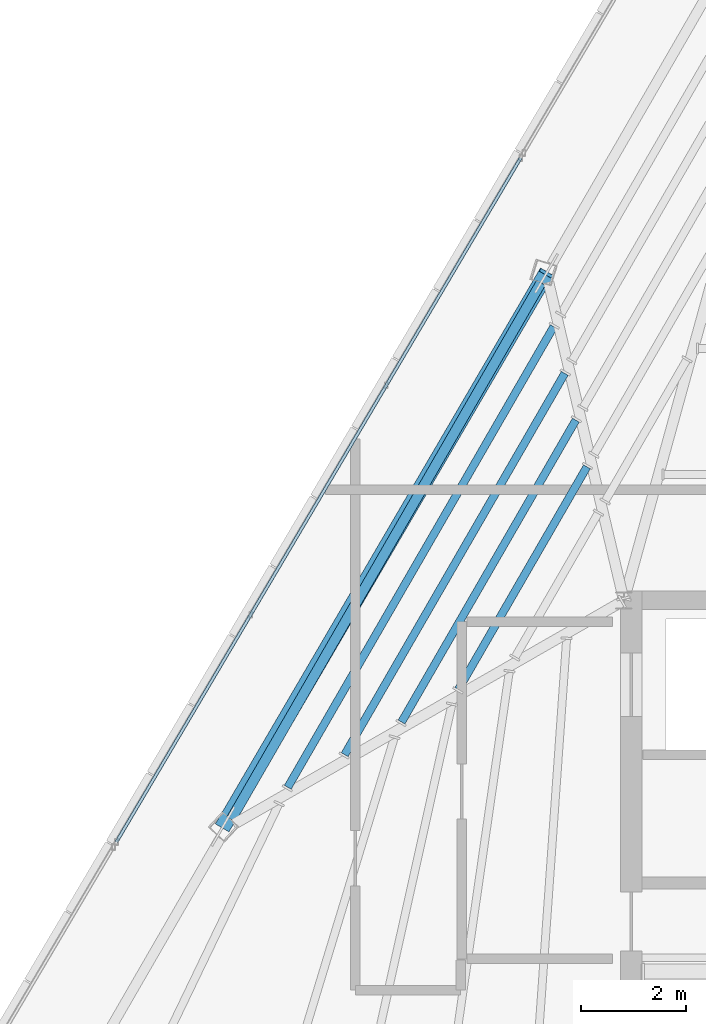
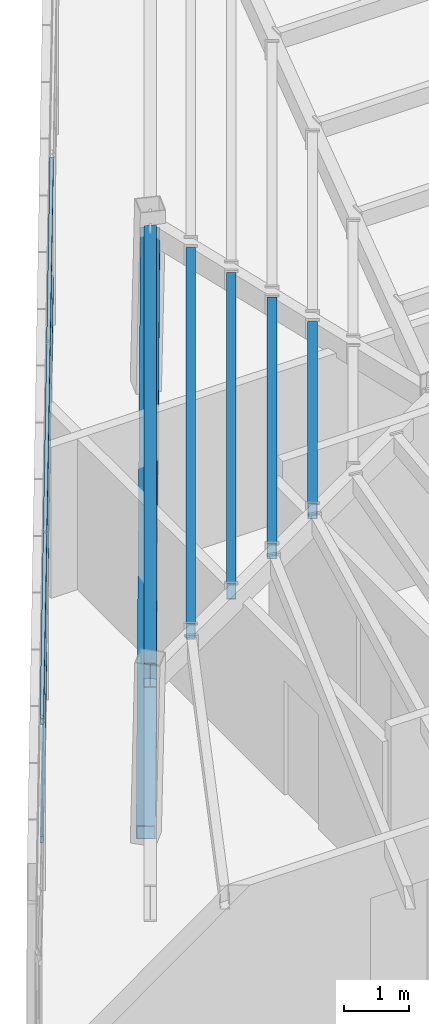
# One storey, part 18 of 47: 5 beams, 3 members, 1 element without a shape of its own.
"""IFC4 building model written with IfcOpenShell, lengths in metres."""

from ifc_helpers import new_model, si_unit, direction, frame, origin, origin_2d, place, context, subcontext, project, spatial, hollow_rectangle, i_section, extrude, source, transform, mapped, material, material_profile, profile_set, type_object, type_shapes, element, aggregate, save


model = new_model("IFC4")

# Units and contexts
model_context = context("Model", 3, precision=1e-05, world=origin(), true_north=direction((0.0, 1.0)))
body_context = subcontext(model_context, "Body", "Model", "MODEL_VIEW")
ifc_project = project(units=[si_unit("LENGTHUNIT", "METRE"), si_unit("AREAUNIT", "SQUARE_METRE"), si_unit("VOLUMEUNIT", "CUBIC_METRE"), si_unit("PLANEANGLEUNIT", "RADIAN"), si_unit("MASSUNIT", "GRAM", prefix="KILO")], contexts=[model_context])

# Site, building, storey
site_placement = place(None, origin())
site = spatial("IfcSite", under=ifc_project, at=site_placement, CompositionType="ELEMENT")
building_placement = place(site_placement, origin())
building = spatial("IfcBuilding", under=site, at=building_placement, Name="Caelisora Broadcast Tower", CompositionType="ELEMENT")
storey_placement = place(building_placement, frame((0.0, 0.0, 293.199951171875)))
storey = spatial("IfcBuildingStorey", under=building, at=storey_placement, Name="L77", CompositionType="ELEMENT", Elevation=293.199951171875)

# Beams
ifc_material_1 = material(Name="Steel Grade 350 (AS/NZS 3679.1)", Category="steel")
ifc_material_profile_1 = material_profile(ifc_material_1, i_section(OverallWidth=0.19091796875, OverallDepth=0.46044921875, WebThickness=0.010009765625, FlangeThickness=0.01611328125, at=origin_2d()), Name="Steel Grade 350 (AS/NZS 3679.1)")
ifc_profile_set_1 = profile_set([ifc_material_profile_1], Name="Steel Grade 350 (AS/NZS 3679.1)")
beam_type_1 = type_object("IfcBeamType", Name="PG06", PredefinedType="BEAM", material=ifc_profile_set_1)
shared_shape_1 = source(origin(), body_context, "Body", "SweptSolid", [
    extrude(i_section(OverallWidth=0.19091796875, OverallDepth=0.46044921875, WebThickness=0.010009765625, FlangeThickness=0.01611328125, at=origin_2d()), origin(), (0.0, 0.0, 1.0), 11.754150390625),
])
type_shapes(beam_type_1, [shared_shape_1])
beam_1_placement = place(storey_placement, frame((28.92529296875, 36.025634765625, 2.919921875), z_axis=(-0.500005927749, -0.86602198137, 0.0), x_axis=(0.86602198137, -0.500005927749, 0.0)))
element("IfcBeam", 1, at=beam_1_placement, inside=storey, type_object=beam_type_1, Name="L77 beam PG06", PredefinedType="BEAM", context=body_context, shape_type="MappedRepresentation", body=[
    mapped(shared_shape_1, transform((0.0, 0.0, 0.0), scale=1.0)),
])
ifc_material_2 = material(Name="Steel Grade 350 (AS/NZS 1163 C350L0)", Category="steel")
ifc_material_profile_2 = material_profile(ifc_material_2, hollow_rectangle(XDim=0.14990234375, YDim=0.300048828125, WallThickness=0.010009765625, at=origin_2d()), Name="Steel Grade 350 (AS/NZS 1163 C350L0)")
ifc_profile_set_2 = profile_set([ifc_material_profile_2], Name="Steel Grade 350 (AS/NZS 1163 C350L0)")
beam_type_2 = type_object("IfcBeamType", Name="SB05", PredefinedType="JOIST", material=ifc_profile_set_2)
shared_shape_2 = source(origin(), body_context, "Body", "SweptSolid", [
    extrude(hollow_rectangle(XDim=0.14990234375, YDim=0.300048828125, WallThickness=0.010009765625, at=origin_2d()), origin(), (0.0, 0.0, 1.0), 4.876708984375),
])
beam_2_placement = place(storey_placement, frame((29.79833984375, 32.535888671875, 3.0), z_axis=(-0.500015682727, -0.866016349168, 0.0), x_axis=(0.866016349168, -0.500015682727, 0.0)))
element("IfcBeam", 2, at=beam_2_placement, inside=storey, type_object=beam_type_2, Name="L77 beam SB05", PredefinedType="JOIST", context=body_context, shape_type="MappedRepresentation", body=[
    mapped(shared_shape_2, transform((0.0, 0.0, 0.0), scale=1.0)),
])
shared_shape_3 = source(origin(), body_context, "Body", "SweptSolid", [
    extrude(hollow_rectangle(XDim=0.14990234375, YDim=0.300048828125, WallThickness=0.010009765625, at=origin_2d()), origin(), (0.0, 0.0, 1.0), 6.61572265625),
])
beam_3_placement = place(storey_placement, frame((29.588134765625, 33.422607421875, 3.0), z_axis=(-0.499992911442, -0.866029496326, 0.0), x_axis=(0.866029496326, -0.499992911442, 0.0)))
element("IfcBeam", 3, at=beam_3_placement, inside=storey, type_object=beam_type_2, Name="L77 beam SB05", PredefinedType="JOIST", context=body_context, shape_type="MappedRepresentation", body=[
    mapped(shared_shape_3, transform((0.0, 0.0, 0.0), scale=1.0)),
])
shared_shape_4 = source(origin(), body_context, "Body", "SweptSolid", [
    extrude(hollow_rectangle(XDim=0.14990234375, YDim=0.300048828125, WallThickness=0.010009765625, at=origin_2d()), origin(), (0.0, 0.0, 1.0), 8.354248046875),
])
beam_4_placement = place(storey_placement, frame((29.378173828125, 34.30908203125, 3.0), z_axis=(-0.500017580647, -0.866015253355, 0.0), x_axis=(0.866015253355, -0.500017580647, 0.0)))
element("IfcBeam", 4, at=beam_4_placement, inside=storey, type_object=beam_type_2, Name="L77 beam SB05", PredefinedType="JOIST", context=body_context, shape_type="MappedRepresentation", body=[
    mapped(shared_shape_4, transform((0.0, 0.0, 0.0), scale=1.0)),
])
shared_shape_5 = source(origin(), body_context, "Body", "SweptSolid", [
    extrude(hollow_rectangle(XDim=0.14990234375, YDim=0.300048828125, WallThickness=0.010009765625, at=origin_2d()), origin(), (0.0, 0.0, 1.0), 10.0927734375),
])
type_shapes(beam_type_2, [shared_shape_2, shared_shape_3, shared_shape_4, shared_shape_5])
beam_5_placement = place(storey_placement, frame((29.16796875, 35.195556640625, 3.0), z_axis=(-0.500005134528, -0.866022439343, 0.0), x_axis=(0.866022439343, -0.500005134528, 0.0)))
element("IfcBeam", 5, at=beam_5_placement, inside=storey, type_object=beam_type_2, Name="L77 beam SB05", PredefinedType="JOIST", context=body_context, shape_type="MappedRepresentation", body=[
    mapped(shared_shape_5, transform((0.0, 0.0, 0.0), scale=1.0)),
])

# Member
ifc_material_3 = material(Name="Steel Grade 450 (AS/NZS 1163 C450L0)", Category="steel")
ifc_material_profile_3 = material_profile(ifc_material_3, hollow_rectangle(XDim=0.300048828125, YDim=0.300048828125, WallThickness=0.012451171875, at=origin_2d()), Name="Steel Grade 450 (AS/NZS 1163 C450L0)")
ifc_profile_set_3 = profile_set([ifc_material_profile_3], Name="Steel Grade 450 (AS/NZS 1163 C450L0)")
member_type_1 = type_object("IfcMemberType", Name="BR06", PredefinedType="BRACE", material=ifc_profile_set_3)
shared_shape_6 = source(origin(), body_context, "Body", "SweptSolid", [
    extrude(hollow_rectangle(XDim=0.300048828125, YDim=0.300048828125, WallThickness=0.012451171875, at=origin_2d()), origin(), (0.0, 0.0, 1.0), 12.46240234375),
])
type_shapes(member_type_1, [shared_shape_6])
member_1_placement = place(storey_placement, frame((29.029296875, 36.205810546875, 2.85009765625), z_axis=(-0.492355513791, -0.841958684885, -0.220661779626), x_axis=(0.86323714575, -0.5047986036, 0.0)))
element("IfcMember", 6, at=member_1_placement, inside=storey, type_object=member_type_1, Name="L77 perimeter brace BR06", PredefinedType="BRACE", context=body_context, shape_type="MappedRepresentation", body=[
    mapped(shared_shape_6, transform((0.0, 0.0, 0.0), scale=1.0)),
])

# Curtain wall, members
ifc_material_4 = material(Name="Unitised Aluminium Insulated Shadow-Box Spandrel Curtain Wall", Category="aluminium")
curtain_wall_type = type_object("IfcCurtainWallType", Name="CW-SP3", PredefinedType="NOTDEFINED", material=ifc_material_4)
curtain_wall_placement = place(storey_placement, origin())
curtain_wall = element("IfcCurtainWall", 7, at=curtain_wall_placement, inside=storey, type_object=curtain_wall_type, Name="L77 curtain wall CW-SP3", PredefinedType="NOTDEFINED")
ifc_material_5 = material(Name="Aluminium 6063-T6 Anodised Terracotta Bronze", Category="aluminium")
ifc_material_profile_4 = material_profile(ifc_material_5, hollow_rectangle(XDim=0.06005859375, YDim=0.1201171875, WallThickness=0.0029296875, at=origin_2d()), Name="Aluminium 6063-T6 Anodised Terracotta Bronze")
ifc_profile_set_4 = profile_set([ifc_material_profile_4], Name="Aluminium 6063-T6 Anodised Terracotta Bronze")
member_type_2 = type_object("IfcMemberType", Name="CWT-03", PredefinedType="USERDEFINED", material=ifc_profile_set_4)
shared_shape_7 = source(origin(), body_context, "Body", "SweptSolid", [
    extrude(hollow_rectangle(XDim=0.06005859375, YDim=0.1201171875, WallThickness=0.0029296875, at=origin_2d()), origin(), (0.0, 0.0, 1.0), 15.078369140625),
])
type_shapes(member_type_2, [shared_shape_7])
member_2_placement = place(storey_placement, frame((20.870361328125, 25.416015625, 0.85009765625), z_axis=(0.508769678766, 0.860902673923, 0.0), x_axis=(-0.860902673923, 0.508769678766, 0.0)))
member_2 = element("IfcMember", 8, at=member_2_placement, type_object=member_type_2, Name="L77-CW-B10 transom #1", ObjectType="TRANSOM", PredefinedType="USERDEFINED", context=body_context, shape_type="MappedRepresentation", body=[
    mapped(shared_shape_7, transform((0.0, 0.0, 0.0), scale=1.0)),
])
member_3_placement = place(storey_placement, frame((20.870361328125, 25.416015625, 3.070068359375), z_axis=(0.508769678766, 0.860902673923, 0.0), x_axis=(-0.860902673923, 0.508769678766, 0.0)))
member_3 = element("IfcMember", 9, at=member_3_placement, type_object=member_type_2, Name="L77-CW-B10 transom #2", ObjectType="TRANSOM", PredefinedType="USERDEFINED", context=body_context, shape_type="MappedRepresentation", body=[
    mapped(shared_shape_7, transform((0.0, 0.0, 0.0), scale=1.0)),
])
aggregate(curtain_wall, [member_2, member_3])

save(model, "model.ifc")
